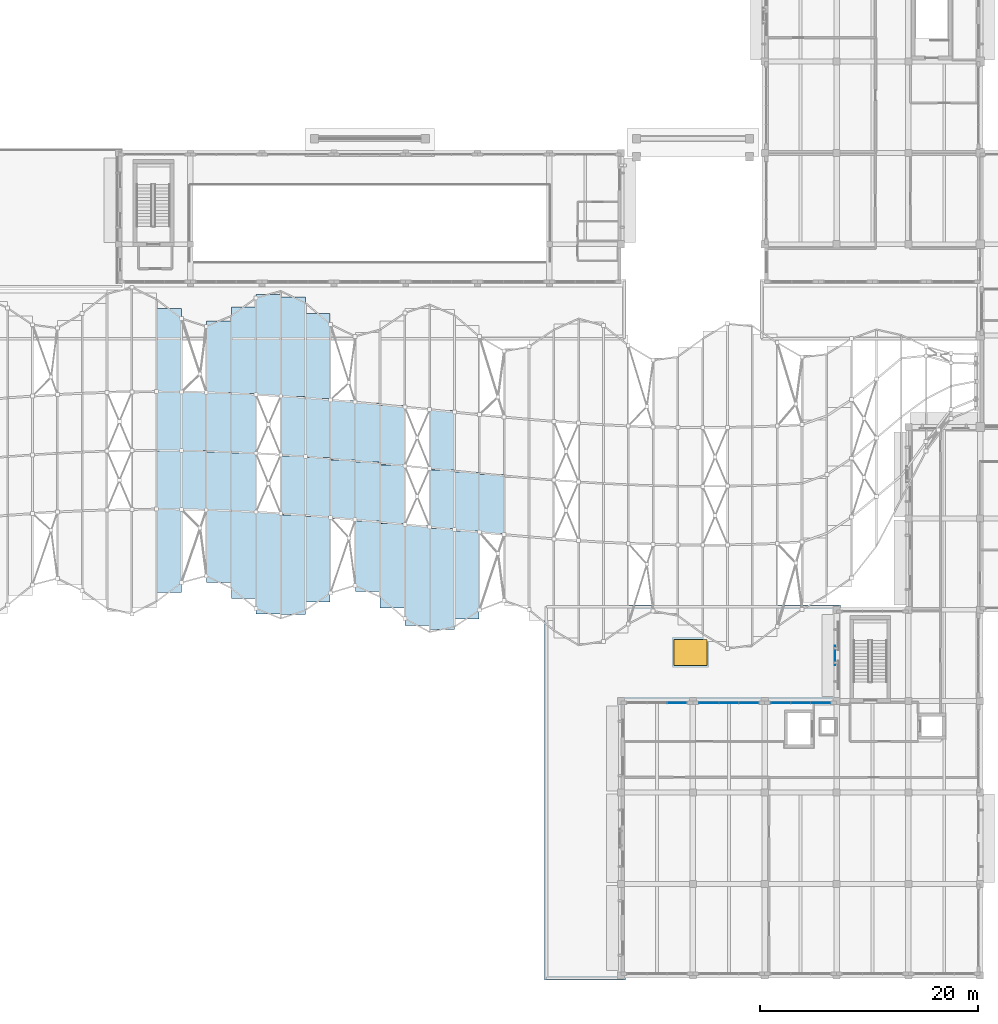
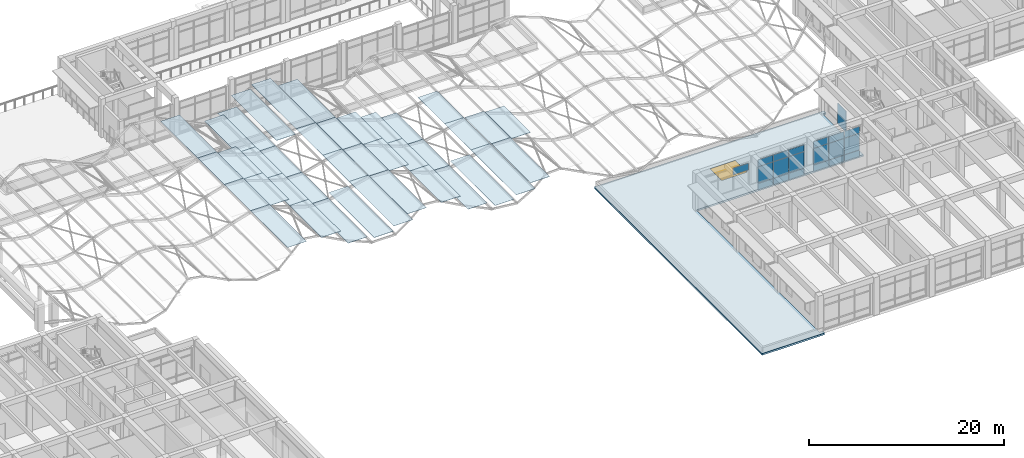
# One storey, part 36 of 79: 59 plates, 1 slab, 1 window, 1 opening, 3 elements without a shape of their own.
"""IFC4 building model written with IfcOpenShell, lengths in metres."""

from ifc_helpers import new_model, si_unit, direction, frame, origin, origin_2d, place, context, subcontext, project, spatial, polyline, rectangle, outline, extrude, material, layer, layer_set, type_object, element, fill, aggregate, save


model = new_model("IFC4")

# Units and contexts
model_context = context("Model", 3, precision=1e-05, world=origin(), true_north=direction((0.0, 1.0)))
body_context = subcontext(model_context, "Body", "Model", "MODEL_VIEW")
ifc_project = project(units=[si_unit("LENGTHUNIT", "METRE"), si_unit("AREAUNIT", "SQUARE_METRE"), si_unit("VOLUMEUNIT", "CUBIC_METRE"), si_unit("PLANEANGLEUNIT", "RADIAN"), si_unit("MASSUNIT", "GRAM", prefix="KILO")], contexts=[model_context])

# Site, building, storey
site_placement = place(None, origin())
site = spatial("IfcSite", under=ifc_project, at=site_placement, CompositionType="ELEMENT")
building_placement = place(site_placement, origin())
building = spatial("IfcBuilding", under=site, at=building_placement, Name="Kolvaren Faculty of Natural Sciences", CompositionType="ELEMENT")
storey_placement = place(building_placement, frame((0.0, 0.0, 10.199951171875)))
storey = spatial("IfcBuildingStorey", under=building, at=storey_placement, Name="L02", CompositionType="ELEMENT", Elevation=10.199951171875)

# Plates
ifc_material_1 = material(Name="Double low-E solar control laminated skylight glass", Category="glass")
ifc_layer_1 = layer(ifc_material_1, 0.031982421875)
ifc_layer_set_1 = layer_set([ifc_layer_1], Name="Double low-E solar control laminated skylight glass")
plate_type_1 = type_object("IfcPlateType", Name="CanopyTranslucentSkylight_32", PredefinedType="USERDEFINED", material=ifc_layer_set_1)
plate_1_placement = place(storey_placement, frame((64.240966796875, 47.63623046875, 4.14599609375), z_axis=(0.0, 0.0, 1.0), x_axis=(1.0, 0.0, 0.0)))
element("IfcPlate", 1, at=plate_1_placement, inside=storey, type_object=plate_type_1, Name="Covered street canopy translucent skylight panel 12.S1", ObjectType="SKYLIGHT PANEL", PredefinedType="USERDEFINED", context=body_context, shape_type="SweptSolid", body=[
    extrude(rectangle(XDim=2.251708984375, YDim=7.6708984375, at=origin_2d()), origin(), (0.0, 0.0, 1.0), 0.031982421875),
])
for number, where, z_axis, x_axis, name in (
    (2, (64.240966796875, 54.1416015625, 4.14599609375), (0.0, 0.0, 1.0), (1.0, 0.0, 0.0), "Covered street canopy translucent skylight panel 12.S2"),
    (3, (64.240966796875, 59.54150390625, 4.14599609375), (0.0, 0.0, 1.0), (1.0, 0.0, 0.0), "Covered street canopy translucent skylight panel 12.N2"),
):
    element("IfcPlate", number, at=place(storey_placement, frame(where, z_axis=z_axis, x_axis=x_axis)), inside=storey, type_object=plate_type_1, Name=name, ObjectType="SKYLIGHT PANEL", PredefinedType="USERDEFINED", context=body_context, shape_type="SweptSolid", body=[
        extrude(rectangle(XDim=2.251708984375, YDim=5.4599609375, at=origin_2d()), origin(), (0.0, 0.0, 1.0), 0.031982421875),
    ])
plate_2_placement = place(storey_placement, frame((64.240966796875, 66.047119140625, 4.14599609375), z_axis=(0.0, 0.0, 1.0), x_axis=(1.0, 0.0, 0.0)))
element("IfcPlate", 4, at=plate_2_placement, inside=storey, type_object=plate_type_1, Name="Covered street canopy translucent skylight panel 12.N1", ObjectType="SKYLIGHT PANEL", PredefinedType="USERDEFINED", context=body_context, shape_type="SweptSolid", body=[
    extrude(rectangle(XDim=2.251708984375, YDim=7.6708984375, at=origin_2d()), origin(), (0.0, 0.0, 1.0), 0.031982421875),
])
for number, where, z_axis, x_axis, name in (
    (5, (66.522705078125, 54.108154296875, 4.01904296875), (0.0, 0.0, 1.0), (1.0, 0.0, 0.0), "Covered street canopy translucent skylight panel 13.S2"),
    (6, (66.522705078125, 59.50830078125, 4.01904296875), (0.0, 0.0, 1.0), (1.0, 0.0, 0.0), "Covered street canopy translucent skylight panel 13.N2"),
):
    element("IfcPlate", number, at=place(storey_placement, frame(where, z_axis=z_axis, x_axis=x_axis)), inside=storey, type_object=plate_type_1, Name=name, ObjectType="SKYLIGHT PANEL", PredefinedType="USERDEFINED", context=body_context, shape_type="SweptSolid", body=[
        extrude(rectangle(XDim=2.251708984375, YDim=5.4599609375, at=origin_2d()), origin(), (0.0, 0.0, 1.0), 0.031982421875),
    ])
plate_3_placement = place(storey_placement, frame((68.8046875, 48.05078125, 3.25), z_axis=(0.0, 0.0, 1.0), x_axis=(1.0, 0.0, 0.0)))
element("IfcPlate", 7, at=plate_3_placement, inside=storey, type_object=plate_type_1, Name="Covered street canopy translucent skylight panel 14.S1", ObjectType="SKYLIGHT PANEL", PredefinedType="USERDEFINED", context=body_context, shape_type="SweptSolid", body=[
    extrude(rectangle(XDim=2.251953125, YDim=6.642578125, at=origin_2d()), origin(), (0.0, 0.0, 1.0), 0.031982421875),
])
for number, where, z_axis, x_axis, name in (
    (8, (68.8046875, 54.0419921875, 3.25), (0.0, 0.0, 1.0), (1.0, 0.0, 0.0), "Covered street canopy translucent skylight panel 14.S2"),
    (9, (68.8046875, 59.44189453125, 3.25), (0.0, 0.0, 1.0), (1.0, 0.0, 0.0), "Covered street canopy translucent skylight panel 14.N2"),
):
    element("IfcPlate", number, at=place(storey_placement, frame(where, z_axis=z_axis, x_axis=x_axis)), inside=storey, type_object=plate_type_1, Name=name, ObjectType="SKYLIGHT PANEL", PredefinedType="USERDEFINED", context=body_context, shape_type="SweptSolid", body=[
        extrude(rectangle(XDim=2.251953125, YDim=5.4599609375, at=origin_2d()), origin(), (0.0, 0.0, 1.0), 0.031982421875),
    ])
plate_4_placement = place(storey_placement, frame((68.8046875, 65.433349609375, 3.25), z_axis=(0.0, 0.0, 1.0), x_axis=(1.0, 0.0, 0.0)))
element("IfcPlate", 10, at=plate_4_placement, inside=storey, type_object=plate_type_1, Name="Covered street canopy translucent skylight panel 14.N1", ObjectType="SKYLIGHT PANEL", PredefinedType="USERDEFINED", context=body_context, shape_type="SweptSolid", body=[
    extrude(rectangle(XDim=2.251953125, YDim=6.642578125, at=origin_2d()), origin(), (0.0, 0.0, 1.0), 0.031982421875),
])
plate_5_placement = place(storey_placement, frame((71.08642578125, 47.25390625, 2.646484375), z_axis=(0.0, 0.0, 1.0), x_axis=(1.0, 0.0, 0.0)))
element("IfcPlate", 11, at=plate_5_placement, inside=storey, type_object=plate_type_1, Name="Covered street canopy translucent skylight panel 15.S1", ObjectType="SKYLIGHT PANEL", PredefinedType="USERDEFINED", context=body_context, shape_type="SweptSolid", body=[
    extrude(rectangle(XDim=2.251708984375, YDim=8.041015625, at=origin_2d()), origin(), (0.0, 0.0, 1.0), 0.031982421875),
])
for number, where, z_axis, x_axis, name in (
    (12, (71.08642578125, 53.944580078125, 2.646484375), (0.0, 0.0, 1.0), (1.0, 0.0, 0.0), "Covered street canopy translucent skylight panel 15.S2"),
    (13, (71.08642578125, 59.344482421875, 2.646484375), (0.0, 0.0, 1.0), (1.0, 0.0, 0.0), "Covered street canopy translucent skylight panel 15.N2"),
):
    element("IfcPlate", number, at=place(storey_placement, frame(where, z_axis=z_axis, x_axis=x_axis)), inside=storey, type_object=plate_type_1, Name=name, ObjectType="SKYLIGHT PANEL", PredefinedType="USERDEFINED", context=body_context, shape_type="SweptSolid", body=[
        extrude(rectangle(XDim=2.251708984375, YDim=5.4599609375, at=origin_2d()), origin(), (0.0, 0.0, 1.0), 0.031982421875),
    ])
plate_6_placement = place(storey_placement, frame((71.08642578125, 66.034912109375, 2.646484375), z_axis=(0.0, 0.0, 1.0), x_axis=(1.0, 0.0, 0.0)))
element("IfcPlate", 14, at=plate_6_placement, inside=storey, type_object=plate_type_1, Name="Covered street canopy translucent skylight panel 15.N1", ObjectType="SKYLIGHT PANEL", PredefinedType="USERDEFINED", context=body_context, shape_type="SweptSolid", body=[
    extrude(rectangle(XDim=2.251708984375, YDim=8.041015625, at=origin_2d()), origin(), (0.0, 0.0, 1.0), 0.031982421875),
])
plate_7_placement = place(storey_placement, frame((73.3681640625, 46.490478515625, 3.3916015625), z_axis=(0.0, 0.0, 1.0), x_axis=(1.0, 0.0, 0.0)))
element("IfcPlate", 15, at=plate_7_placement, inside=storey, type_object=plate_type_1, Name="Covered street canopy translucent skylight panel 16.S1", ObjectType="SKYLIGHT PANEL", PredefinedType="USERDEFINED", context=body_context, shape_type="SweptSolid", body=[
    extrude(rectangle(XDim=2.251708984375, YDim=9.313720703125, at=origin_2d()), origin(), (0.0, 0.0, 1.0), 0.031982421875),
])
plate_8_placement = place(storey_placement, frame((73.3681640625, 66.54443359375, 3.3916015625), z_axis=(0.0, 0.0, 1.0), x_axis=(1.0, 0.0, 0.0)))
element("IfcPlate", 16, at=plate_8_placement, inside=storey, type_object=plate_type_1, Name="Covered street canopy translucent skylight panel 16.N1", ObjectType="SKYLIGHT PANEL", PredefinedType="USERDEFINED", context=body_context, shape_type="SweptSolid", body=[
    extrude(rectangle(XDim=2.251708984375, YDim=9.31396484375, at=origin_2d()), origin(), (0.0, 0.0, 1.0), 0.031982421875),
])
plate_9_placement = place(storey_placement, frame((75.64990234375, 46.37451171875, 4.09716796875), z_axis=(0.0, 0.0, 1.0), x_axis=(1.0, 0.0, 0.0)))
element("IfcPlate", 17, at=plate_9_placement, inside=storey, type_object=plate_type_1, Name="Covered street canopy translucent skylight panel 17.S1", ObjectType="SKYLIGHT PANEL", PredefinedType="USERDEFINED", context=body_context, shape_type="SweptSolid", body=[
    extrude(rectangle(XDim=2.251708984375, YDim=9.238525390625, at=origin_2d()), origin(), (0.0, 0.0, 1.0), 0.031982421875),
])
for number, where, z_axis, x_axis, name in (
    (18, (75.64990234375, 53.663818359375, 4.09716796875), (0.0, 0.0, 1.0), (1.0, 0.0, 0.0), "Covered street canopy translucent skylight panel 17.S2"),
    (19, (75.64990234375, 59.063720703125, 4.09716796875), (0.0, 0.0, 1.0), (1.0, 0.0, 0.0), "Covered street canopy translucent skylight panel 17.N2"),
):
    element("IfcPlate", number, at=place(storey_placement, frame(where, z_axis=z_axis, x_axis=x_axis)), inside=storey, type_object=plate_type_1, Name=name, ObjectType="SKYLIGHT PANEL", PredefinedType="USERDEFINED", context=body_context, shape_type="SweptSolid", body=[
        extrude(rectangle(XDim=2.251708984375, YDim=5.4599609375, at=origin_2d()), origin(), (0.0, 0.0, 1.0), 0.031982421875),
    ])
plate_10_placement = place(storey_placement, frame((75.64990234375, 66.35302734375, 4.09716796875), z_axis=(0.0, 0.0, 1.0), x_axis=(1.0, 0.0, 0.0)))
element("IfcPlate", 20, at=plate_10_placement, inside=storey, type_object=plate_type_1, Name="Covered street canopy translucent skylight panel 17.N1", ObjectType="SKYLIGHT PANEL", PredefinedType="USERDEFINED", context=body_context, shape_type="SweptSolid", body=[
    extrude(rectangle(XDim=2.251708984375, YDim=9.238525390625, at=origin_2d()), origin(), (0.0, 0.0, 1.0), 0.031982421875),
])
plate_11_placement = place(storey_placement, frame((77.931884765625, 46.87255859375, 4.09716796875), z_axis=(0.0, 0.0, 1.0), x_axis=(1.0, 0.0, 0.0)))
element("IfcPlate", 21, at=plate_11_placement, inside=storey, type_object=plate_type_1, Name="Covered street canopy translucent skylight panel 18.S1", ObjectType="SKYLIGHT PANEL", PredefinedType="USERDEFINED", context=body_context, shape_type="SweptSolid", body=[
    extrude(rectangle(XDim=2.251708984375, YDim=7.8876953125, at=origin_2d()), origin(), (0.0, 0.0, 1.0), 0.031982421875),
])
for number, where, z_axis, x_axis, name in (
    (22, (77.931884765625, 53.486328125, 4.09716796875), (0.0, 0.0, 1.0), (1.0, 0.0, 0.0), "Covered street canopy translucent skylight panel 18.S2"),
    (23, (77.931884765625, 58.88623046875, 4.09716796875), (0.0, 0.0, 1.0), (1.0, 0.0, 0.0), "Covered street canopy translucent skylight panel 18.N2"),
):
    element("IfcPlate", number, at=place(storey_placement, frame(where, z_axis=z_axis, x_axis=x_axis)), inside=storey, type_object=plate_type_1, Name=name, ObjectType="SKYLIGHT PANEL", PredefinedType="USERDEFINED", context=body_context, shape_type="SweptSolid", body=[
        extrude(rectangle(XDim=2.251708984375, YDim=5.4599609375, at=origin_2d()), origin(), (0.0, 0.0, 1.0), 0.031982421875),
    ])
plate_12_placement = place(storey_placement, frame((77.931884765625, 65.5, 4.09716796875), z_axis=(0.0, 0.0, 1.0), x_axis=(1.0, 0.0, 0.0)))
element("IfcPlate", 24, at=plate_12_placement, inside=storey, type_object=plate_type_1, Name="Covered street canopy translucent skylight panel 18.N1", ObjectType="SKYLIGHT PANEL", PredefinedType="USERDEFINED", context=body_context, shape_type="SweptSolid", body=[
    extrude(rectangle(XDim=2.251708984375, YDim=7.8876953125, at=origin_2d()), origin(), (0.0, 0.0, 1.0), 0.031982421875),
])
for number, where, z_axis, x_axis, name in (
    (25, (80.213623046875, 53.288818359375, 4.0849609375), (0.0, 0.0, 1.0), (1.0, 0.0, 0.0), "Covered street canopy translucent skylight panel 19.S2"),
    (26, (80.213623046875, 58.688720703125, 4.0849609375), (0.0, 0.0, 1.0), (1.0, 0.0, 0.0), "Covered street canopy translucent skylight panel 19.N2"),
):
    element("IfcPlate", number, at=place(storey_placement, frame(where, z_axis=z_axis, x_axis=x_axis)), inside=storey, type_object=plate_type_1, Name=name, ObjectType="SKYLIGHT PANEL", PredefinedType="USERDEFINED", context=body_context, shape_type="SweptSolid", body=[
        extrude(rectangle(XDim=2.251708984375, YDim=5.4599609375, at=origin_2d()), origin(), (0.0, 0.0, 1.0), 0.031982421875),
    ])
plate_13_placement = place(storey_placement, frame((82.49560546875, 47.141845703125, 3.36767578125), z_axis=(0.0, 0.0, 1.0), x_axis=(1.0, 0.0, 0.0)))
element("IfcPlate", 27, at=plate_13_placement, inside=storey, type_object=plate_type_1, Name="Covered street canopy translucent skylight panel 20.S1", ObjectType="SKYLIGHT PANEL", PredefinedType="USERDEFINED", context=body_context, shape_type="SweptSolid", body=[
    extrude(rectangle(XDim=2.251953125, YDim=6.526611328125, at=origin_2d()), origin(), (0.0, 0.0, 1.0), 0.031982421875),
])
for number, where, z_axis, x_axis, name in (
    (28, (82.49560546875, 53.0751953125, 3.36767578125), (0.0, 0.0, 1.0), (1.0, 0.0, 0.0), "Covered street canopy translucent skylight panel 20.S2"),
    (29, (82.49560546875, 58.47509765625, 3.36767578125), (0.0, 0.0, 1.0), (1.0, 0.0, 0.0), "Covered street canopy translucent skylight panel 20.N2"),
):
    element("IfcPlate", number, at=place(storey_placement, frame(where, z_axis=z_axis, x_axis=x_axis)), inside=storey, type_object=plate_type_1, Name=name, ObjectType="SKYLIGHT PANEL", PredefinedType="USERDEFINED", context=body_context, shape_type="SweptSolid", body=[
        extrude(rectangle(XDim=2.251953125, YDim=5.4599609375, at=origin_2d()), origin(), (0.0, 0.0, 1.0), 0.031982421875),
    ])
plate_14_placement = place(storey_placement, frame((84.77734375, 46.26806640625, 2.63330078125), z_axis=(0.0, 0.0, 1.0), x_axis=(1.0, 0.0, 0.0)))
element("IfcPlate", 30, at=plate_14_placement, inside=storey, type_object=plate_type_1, Name="Covered street canopy translucent skylight panel 21.S1", ObjectType="SKYLIGHT PANEL", PredefinedType="USERDEFINED", context=body_context, shape_type="SweptSolid", body=[
    extrude(rectangle(XDim=2.251708984375, YDim=7.823486328125, at=origin_2d()), origin(), (0.0, 0.0, 1.0), 0.031982421875),
])
for number, where, z_axis, x_axis, name in (
    (31, (84.77734375, 52.849853515625, 2.63330078125), (0.0, 0.0, 1.0), (1.0, 0.0, 0.0), "Covered street canopy translucent skylight panel 21.S2"),
    (32, (84.77734375, 58.25, 2.63330078125), (0.0, 0.0, 1.0), (1.0, 0.0, 0.0), "Covered street canopy translucent skylight panel 21.N2"),
):
    element("IfcPlate", number, at=place(storey_placement, frame(where, z_axis=z_axis, x_axis=x_axis)), inside=storey, type_object=plate_type_1, Name=name, ObjectType="SKYLIGHT PANEL", PredefinedType="USERDEFINED", context=body_context, shape_type="SweptSolid", body=[
        extrude(rectangle(XDim=2.251708984375, YDim=5.4599609375, at=origin_2d()), origin(), (0.0, 0.0, 1.0), 0.031982421875),
    ])
plate_15_placement = place(storey_placement, frame((87.05908203125, 45.345703125, 3.27392578125), z_axis=(0.0, 0.0, 1.0), x_axis=(1.0, 0.0, 0.0)))
element("IfcPlate", 33, at=plate_15_placement, inside=storey, type_object=plate_type_1, Name="Covered street canopy translucent skylight panel 22.S1", ObjectType="SKYLIGHT PANEL", PredefinedType="USERDEFINED", context=body_context, shape_type="SweptSolid", body=[
    extrude(rectangle(XDim=2.251708984375, YDim=9.20361328125, at=origin_2d()), origin(), (0.0, 0.0, 1.0), 0.031982421875),
])
plate_16_placement = place(storey_placement, frame((89.3408203125, 45.0419921875, 4.03369140625), z_axis=(0.0, 0.0, 1.0), x_axis=(1.0, 0.0, 0.0)))
element("IfcPlate", 34, at=plate_16_placement, inside=storey, type_object=plate_type_1, Name="Covered street canopy translucent skylight panel 23.S1", ObjectType="SKYLIGHT PANEL", PredefinedType="USERDEFINED", context=body_context, shape_type="SweptSolid", body=[
    extrude(rectangle(XDim=2.251708984375, YDim=9.34130859375, at=origin_2d()), origin(), (0.0, 0.0, 1.0), 0.031982421875),
])
for number, where, z_axis, x_axis, name in (
    (35, (89.3408203125, 52.382568359375, 4.03369140625), (0.0, 0.0, 1.0), (1.0, 0.0, 0.0), "Covered street canopy translucent skylight panel 23.S2"),
    (36, (89.3408203125, 57.78271484375, 4.03369140625), (0.0, 0.0, 1.0), (1.0, 0.0, 0.0), "Covered street canopy translucent skylight panel 23.N2"),
):
    element("IfcPlate", number, at=place(storey_placement, frame(where, z_axis=z_axis, x_axis=x_axis)), inside=storey, type_object=plate_type_1, Name=name, ObjectType="SKYLIGHT PANEL", PredefinedType="USERDEFINED", context=body_context, shape_type="SweptSolid", body=[
        extrude(rectangle(XDim=2.251708984375, YDim=5.4599609375, at=origin_2d()), origin(), (0.0, 0.0, 1.0), 0.031982421875),
    ])
plate_17_placement = place(storey_placement, frame((91.622802734375, 45.427734375, 4.13720703125), z_axis=(0.0, 0.0, 1.0), x_axis=(1.0, 0.0, 0.0)))
element("IfcPlate", 37, at=plate_17_placement, inside=storey, type_object=plate_type_1, Name="Covered street canopy translucent skylight panel 24.S1", ObjectType="SKYLIGHT PANEL", PredefinedType="USERDEFINED", context=body_context, shape_type="SweptSolid", body=[
    extrude(rectangle(XDim=2.251708984375, YDim=8.104736328125, at=origin_2d()), origin(), (0.0, 0.0, 1.0), 0.031982421875),
])
plate_18_placement = place(storey_placement, frame((91.622802734375, 52.150146484375, 4.13720703125), z_axis=(0.0, 0.0, 1.0), x_axis=(1.0, 0.0, 0.0)))
element("IfcPlate", 38, at=plate_18_placement, inside=storey, type_object=plate_type_1, Name="Covered street canopy translucent skylight panel 24.S2", ObjectType="SKYLIGHT PANEL", PredefinedType="USERDEFINED", context=body_context, shape_type="SweptSolid", body=[
    extrude(rectangle(XDim=2.251708984375, YDim=5.4599609375, at=origin_2d()), origin(), (0.0, 0.0, 1.0), 0.031982421875),
])
plate_19_placement = place(storey_placement, frame((93.904541015625, 51.9248046875, 4.13720703125), z_axis=(0.0, 0.0, 1.0), x_axis=(1.0, 0.0, 0.0)))
element("IfcPlate", 39, at=plate_19_placement, inside=storey, type_object=plate_type_1, Name="Covered street canopy translucent skylight panel 25.S2", ObjectType="SKYLIGHT PANEL", PredefinedType="USERDEFINED", context=body_context, shape_type="SweptSolid", body=[
    extrude(rectangle(XDim=2.251953125, YDim=5.4599609375, at=origin_2d()), origin(), (0.0, 0.0, 1.0), 0.031982421875),
])

# Curtain wall, plates
ifc_material_2 = material(Name="Thermally broken anodised aluminium framing", Category="aluminium")
ifc_layer_2 = layer(ifc_material_2, 0.179931640625)
ifc_layer_set_2 = layer_set([ifc_layer_2], Name="Thermally broken anodised aluminium framing")
curtain_wall_type = type_object("IfcCurtainWallType", Name="CommonsCurtainWall_CW02", PredefinedType="NOTDEFINED", material=ifc_layer_set_2)
curtain_wall_1_placement = place(storey_placement, origin())
curtain_wall_1 = element("IfcCurtainWall", 40, at=curtain_wall_1_placement, inside=storey, type_object=curtain_wall_type, Name="L02 unitised curtain wall CW-02 (CW-L02-117)", PredefinedType="NOTDEFINED")
ifc_material_3 = material(Name="Double low-E solar control insulated glazing", Category="glass")
ifc_layer_3 = layer(ifc_material_3, 0.035888671875)
ifc_layer_set_3 = layer_set([ifc_layer_3], Name="Double low-E solar control insulated glazing")
plate_type_2 = type_object("IfcPlateType", Name="EnvelopePlate_CWPGL1", PredefinedType="CURTAIN_PANEL", material=ifc_layer_set_3)
plate_20_placement = place(storey_placement, frame((113.86669921875, 33.64990234375, 0.920166015625), z_axis=(0.0, 0.0, 1.0), x_axis=(1.0, 0.0, 0.0)))
plate_20 = element("IfcPlate", 41, at=plate_20_placement, type_object=plate_type_2, Name="CW-L02-117 panel 1 V1", PredefinedType="CURTAIN_PANEL", context=body_context, shape_type="SweptSolid", body=[
    extrude(rectangle(XDim=1.783203125, YDim=0.035888671875, at=origin_2d()), origin(), (0.0, 0.0, 1.0), 2.044921875),
])
plate_21_placement = place(storey_placement, frame((115.699951171875, 33.64990234375, 0.920166015625), z_axis=(0.0, 0.0, 1.0), x_axis=(1.0, 0.0, 0.0)))
plate_21 = element("IfcPlate", 42, at=plate_21_placement, type_object=plate_type_2, Name="CW-L02-117 panel 2 V1", PredefinedType="CURTAIN_PANEL", context=body_context, shape_type="SweptSolid", body=[
    extrude(rectangle(XDim=1.783203125, YDim=0.035888671875, at=origin_2d()), origin(), (0.0, 0.0, 1.0), 2.044921875),
])
plate_22_placement = place(storey_placement, frame((117.533203125, 33.64990234375, 0.920166015625), z_axis=(0.0, 0.0, 1.0), x_axis=(1.0, 0.0, 0.0)))
plate_22 = element("IfcPlate", 43, at=plate_22_placement, type_object=plate_type_2, Name="CW-L02-117 panel 3 V1", PredefinedType="CURTAIN_PANEL", context=body_context, shape_type="SweptSolid", body=[
    extrude(rectangle(XDim=1.783203125, YDim=0.035888671875, at=origin_2d()), origin(), (0.0, 0.0, 1.0), 2.044921875),
])

curtain_wall_2_placement = place(storey_placement, origin())
curtain_wall_2 = element("IfcCurtainWall", 44, at=curtain_wall_2_placement, inside=storey, type_object=curtain_wall_type, Name="L02 unitised curtain wall CW-02 (CW-L02-118)", PredefinedType="NOTDEFINED")
plate_23_placement = place(storey_placement, frame((120.466796875, 33.64990234375, 0.920166015625), z_axis=(0.0, 0.0, 1.0), x_axis=(1.0, 0.0, 0.0)))
plate_23 = element("IfcPlate", 45, at=plate_23_placement, type_object=plate_type_2, Name="CW-L02-118 panel 1 V1", PredefinedType="CURTAIN_PANEL", context=body_context, shape_type="SweptSolid", body=[
    extrude(rectangle(XDim=1.783203125, YDim=0.035888671875, at=origin_2d()), origin(), (0.0, 0.0, 1.0), 2.044921875),
])
plate_24_placement = place(storey_placement, frame((122.300048828125, 33.64990234375, 0.920166015625), z_axis=(0.0, 0.0, 1.0), x_axis=(1.0, 0.0, 0.0)))
plate_24 = element("IfcPlate", 46, at=plate_24_placement, type_object=plate_type_2, Name="CW-L02-118 panel 2 V1", PredefinedType="CURTAIN_PANEL", context=body_context, shape_type="SweptSolid", body=[
    extrude(rectangle(XDim=1.783203125, YDim=0.035888671875, at=origin_2d()), origin(), (0.0, 0.0, 1.0), 2.044921875),
])
plate_25_placement = place(storey_placement, frame((124.13330078125, 33.64990234375, 0.920166015625), z_axis=(0.0, 0.0, 1.0), x_axis=(1.0, 0.0, 0.0)))
plate_25 = element("IfcPlate", 47, at=plate_25_placement, type_object=plate_type_2, Name="CW-L02-118 panel 3 V1", PredefinedType="CURTAIN_PANEL", context=body_context, shape_type="SweptSolid", body=[
    extrude(rectangle(XDim=1.783203125, YDim=0.035888671875, at=origin_2d()), origin(), (0.0, 0.0, 1.0), 2.044921875),
])

# Curtain wall, plate
curtain_wall_3_placement = place(storey_placement, origin())
curtain_wall_3 = element("IfcCurtainWall", 48, at=curtain_wall_3_placement, inside=storey, type_object=curtain_wall_type, Name="L02 unitised curtain wall CW-02 (CW-L02-116)", PredefinedType="NOTDEFINED")
ifc_layer_4 = layer(ifc_material_3, 0.035888671875)
ifc_layer_set_4 = layer_set([ifc_layer_4], Name="Double low-E solar control insulated glazing")
plate_type_3 = type_object("IfcPlateType", Name="EnvelopePlate_CWPGL2", PredefinedType="CURTAIN_PANEL", material=ifc_layer_set_4)
plate_26_placement = place(storey_placement, frame((110.933349609375, 33.64990234375, 3.005126953125), z_axis=(0.0, 0.0, 1.0), x_axis=(1.0, 0.0, 0.0)))
plate_26 = element("IfcPlate", 49, at=plate_26_placement, type_object=plate_type_3, Name="CW-L02-116 panel 3 V2", PredefinedType="CURTAIN_PANEL", context=body_context, shape_type="SweptSolid", body=[
    extrude(rectangle(XDim=1.783203125, YDim=0.035888671875, at=origin_2d()), origin(), (0.0, 0.0, 1.0), 0.830078125),
])
aggregate(curtain_wall_3, [plate_26])

# Plate
plate_27_placement = place(storey_placement, frame((113.86669921875, 33.64990234375, 3.005126953125), z_axis=(0.0, 0.0, 1.0), x_axis=(1.0, 0.0, 0.0)))
plate_27 = element("IfcPlate", 50, at=plate_27_placement, type_object=plate_type_3, Name="CW-L02-117 panel 1 V2", PredefinedType="CURTAIN_PANEL", context=body_context, shape_type="SweptSolid", body=[
    extrude(rectangle(XDim=1.783203125, YDim=0.035888671875, at=origin_2d()), origin(), (0.0, 0.0, 1.0), 0.830078125),
])

plate_28_placement = place(storey_placement, frame((115.699951171875, 33.64990234375, 3.005126953125), z_axis=(0.0, 0.0, 1.0), x_axis=(1.0, 0.0, 0.0)))
plate_28 = element("IfcPlate", 51, at=plate_28_placement, type_object=plate_type_3, Name="CW-L02-117 panel 2 V2", PredefinedType="CURTAIN_PANEL", context=body_context, shape_type="SweptSolid", body=[
    extrude(rectangle(XDim=1.783203125, YDim=0.035888671875, at=origin_2d()), origin(), (0.0, 0.0, 1.0), 0.830078125),
])

plate_29_placement = place(storey_placement, frame((117.533203125, 33.64990234375, 3.005126953125), z_axis=(0.0, 0.0, 1.0), x_axis=(1.0, 0.0, 0.0)))
plate_29 = element("IfcPlate", 52, at=plate_29_placement, type_object=plate_type_3, Name="CW-L02-117 panel 3 V2", PredefinedType="CURTAIN_PANEL", context=body_context, shape_type="SweptSolid", body=[
    extrude(rectangle(XDim=1.783203125, YDim=0.035888671875, at=origin_2d()), origin(), (0.0, 0.0, 1.0), 0.830078125),
])

plate_30_placement = place(storey_placement, frame((120.466796875, 33.64990234375, 3.005126953125), z_axis=(0.0, 0.0, 1.0), x_axis=(1.0, 0.0, 0.0)))
plate_30 = element("IfcPlate", 53, at=plate_30_placement, type_object=plate_type_3, Name="CW-L02-118 panel 1 V2", PredefinedType="CURTAIN_PANEL", context=body_context, shape_type="SweptSolid", body=[
    extrude(rectangle(XDim=1.783203125, YDim=0.035888671875, at=origin_2d()), origin(), (0.0, 0.0, 1.0), 0.830078125),
])

plate_31_placement = place(storey_placement, frame((122.300048828125, 33.64990234375, 3.005126953125), z_axis=(0.0, 0.0, 1.0), x_axis=(1.0, 0.0, 0.0)))
plate_31 = element("IfcPlate", 54, at=plate_31_placement, type_object=plate_type_3, Name="CW-L02-118 panel 2 V2", PredefinedType="CURTAIN_PANEL", context=body_context, shape_type="SweptSolid", body=[
    extrude(rectangle(XDim=1.783203125, YDim=0.035888671875, at=origin_2d()), origin(), (0.0, 0.0, 1.0), 0.830078125),
])

plate_32_placement = place(storey_placement, frame((124.13330078125, 33.64990234375, 3.005126953125), z_axis=(0.0, 0.0, 1.0), x_axis=(1.0, 0.0, 0.0)))
plate_32 = element("IfcPlate", 55, at=plate_32_placement, type_object=plate_type_3, Name="CW-L02-118 panel 3 V2", PredefinedType="CURTAIN_PANEL", context=body_context, shape_type="SweptSolid", body=[
    extrude(rectangle(XDim=1.783203125, YDim=0.035888671875, at=origin_2d()), origin(), (0.0, 0.0, 1.0), 0.830078125),
])

ifc_material_4 = material(Name="Insulated anodised aluminium spandrel panel", Category="aluminium")
ifc_layer_5 = layer(ifc_material_4, 0.050048828125)
ifc_layer_set_5 = layer_set([ifc_layer_5], Name="Insulated anodised aluminium spandrel panel")
plate_type_4 = type_object("IfcPlateType", Name="EnvelopePlate_CWPSP1", PredefinedType="SHEET", material=ifc_layer_set_5)
plate_33_placement = place(storey_placement, frame((113.86669921875, 33.64990234375, 0.10009765625), z_axis=(0.0, 0.0, 1.0), x_axis=(1.0, 0.0, 0.0)))
plate_33 = element("IfcPlate", 56, at=plate_33_placement, type_object=plate_type_4, Name="CW-L02-117 panel 1 SP", PredefinedType="SHEET", context=body_context, shape_type="SweptSolid", body=[
    extrude(rectangle(XDim=1.783203125, YDim=0.050048828125, at=origin_2d()), origin(), (0.0, 0.0, 1.0), 0.780029296875),
])

plate_34_placement = place(storey_placement, frame((115.699951171875, 33.64990234375, 0.10009765625), z_axis=(0.0, 0.0, 1.0), x_axis=(1.0, 0.0, 0.0)))
plate_34 = element("IfcPlate", 57, at=plate_34_placement, type_object=plate_type_4, Name="CW-L02-117 panel 2 SP", PredefinedType="SHEET", context=body_context, shape_type="SweptSolid", body=[
    extrude(rectangle(XDim=1.783203125, YDim=0.050048828125, at=origin_2d()), origin(), (0.0, 0.0, 1.0), 0.780029296875),
])

plate_35_placement = place(storey_placement, frame((117.533203125, 33.64990234375, 0.10009765625), z_axis=(0.0, 0.0, 1.0), x_axis=(1.0, 0.0, 0.0)))
plate_35 = element("IfcPlate", 58, at=plate_35_placement, type_object=plate_type_4, Name="CW-L02-117 panel 3 SP", PredefinedType="SHEET", context=body_context, shape_type="SweptSolid", body=[
    extrude(rectangle(XDim=1.783203125, YDim=0.050048828125, at=origin_2d()), origin(), (0.0, 0.0, 1.0), 0.780029296875),
])

aggregate(curtain_wall_1, [plate_33, plate_20, plate_27, plate_34, plate_21, plate_28, plate_35, plate_22, plate_29])

plate_36_placement = place(storey_placement, frame((120.466796875, 33.64990234375, 0.10009765625), z_axis=(0.0, 0.0, 1.0), x_axis=(1.0, 0.0, 0.0)))
plate_36 = element("IfcPlate", 59, at=plate_36_placement, type_object=plate_type_4, Name="CW-L02-118 panel 1 SP", PredefinedType="SHEET", context=body_context, shape_type="SweptSolid", body=[
    extrude(rectangle(XDim=1.783203125, YDim=0.050048828125, at=origin_2d()), origin(), (0.0, 0.0, 1.0), 0.780029296875),
])

plate_37_placement = place(storey_placement, frame((122.300048828125, 33.64990234375, 0.10009765625), z_axis=(0.0, 0.0, 1.0), x_axis=(1.0, 0.0, 0.0)))
plate_37 = element("IfcPlate", 60, at=plate_37_placement, type_object=plate_type_4, Name="CW-L02-118 panel 2 SP", PredefinedType="SHEET", context=body_context, shape_type="SweptSolid", body=[
    extrude(rectangle(XDim=1.783203125, YDim=0.050048828125, at=origin_2d()), origin(), (0.0, 0.0, 1.0), 0.780029296875),
])

plate_38_placement = place(storey_placement, frame((124.13330078125, 33.64990234375, 0.10009765625), z_axis=(0.0, 0.0, 1.0), x_axis=(1.0, 0.0, 0.0)))
plate_38 = element("IfcPlate", 61, at=plate_38_placement, type_object=plate_type_4, Name="CW-L02-118 panel 3 SP", PredefinedType="SHEET", context=body_context, shape_type="SweptSolid", body=[
    extrude(rectangle(XDim=1.783203125, YDim=0.050048828125, at=origin_2d()), origin(), (0.0, 0.0, 1.0), 0.780029296875),
])

aggregate(curtain_wall_2, [plate_36, plate_23, plate_30, plate_37, plate_24, plate_31, plate_38, plate_25, plate_32])

ifc_material_5 = material(Name="Extruded architectural terracotta screen", Category="masonry")
ifc_layer_6 = layer(ifc_material_5, 0.06494140625)
ifc_layer_set_6 = layer_set([ifc_layer_6], Name="Extruded architectural terracotta screen")
plate_type_5 = type_object("IfcPlateType", Name="EnvelopePlate_JL02", PredefinedType="USERDEFINED", material=ifc_layer_set_6)
plate_39_placement = place(storey_placement, frame((125.4599609375, 38.0, 0.85009765625), z_axis=(0.0, 0.0, 1.0), x_axis=(0.0, 1.0, 0.0)))
element("IfcPlate", 62, at=plate_39_placement, inside=storey, type_object=plate_type_5, Name="L02 perforated terracotta jali sun screen JL-02", ObjectType="SCREEN", PredefinedType="USERDEFINED", context=body_context, shape_type="SweptSolid", body=[
    extrude(rectangle(XDim=1.75, YDim=0.06494140625, at=origin_2d()), origin(), (0.0, 0.0, 1.0), 2.60009765625),
])

# Slab, opening, window
ifc_material_6 = material(Name="Concrete C35/45", Category="concrete")
ifc_layer_7 = layer(ifc_material_6, 0.219970703125)
ifc_layer_set_7 = layer_set([ifc_layer_7], Name="Concrete C35/45")
slab_type = type_object("IfcSlabType", Name="FlatWingRoofSlab_220", PredefinedType="ROOF", material=ifc_layer_set_7)
slab_placement = place(storey_placement, frame((0.0, 0.0, -0.219970703125)))
slab = element("IfcSlab", 63, at=slab_placement, inside=storey, type_object=slab_type, Name="L02 flat reinforced concrete roof slab 2", PredefinedType="ROOF", context=body_context, shape_type="SweptSolid", body=[
    extrude(outline(polyline([(125.597900390625, 42.219970703125), (125.59619140625, 42.219482421875), (125.59423828125, 42.218994140625), (125.59228515625, 42.218505859375), (125.590576171875, 42.217529296875), (125.5888671875, 42.216552734375), (125.58740234375, 42.215576171875), (125.5859375, 42.214111328125), (125.58447265625, 42.212646484375), (125.58349609375, 42.211181640625), (125.58251953125, 42.20947265625), (125.58154296875, 42.207763671875), (125.580810546875, 42.205810546875), (125.580322265625, 42.203857421875), (125.580078125, 42.201904296875), (125.580078125, 42.199951171875), (125.580078125, 33.820068359375), (105.800048828125, 33.820068359375), (105.798095703125, 33.81982421875), (105.796142578125, 33.819580078125), (105.794189453125, 33.819091796875), (105.792236328125, 33.818603515625), (105.79052734375, 33.817626953125), (105.788818359375, 33.816650390625), (105.787353515625, 33.8154296875), (105.785888671875, 33.814208984375), (105.784423828125, 33.812744140625), (105.783447265625, 33.81103515625), (105.782470703125, 33.809326171875), (105.781494140625, 33.8076171875), (105.781005859375, 33.805908203125), (105.780517578125, 33.803955078125), (105.780029296875, 33.802001953125), (105.780029296875, 33.800048828125), (105.780029296875, 8.60009765625), (105.780029296875, 8.597900390625), (105.780517578125, 8.59619140625), (105.781005859375, 8.59423828125), (105.781494140625, 8.59228515625), (105.782470703125, 8.590576171875), (105.783447265625, 8.5888671875), (105.784423828125, 8.58740234375), (105.785888671875, 8.5859375), (105.787353515625, 8.58447265625), (105.788818359375, 8.58349609375), (105.79052734375, 8.58251953125), (105.792236328125, 8.58154296875), (105.794189453125, 8.580810546875), (105.796142578125, 8.580322265625), (105.798095703125, 8.580078125), (105.800048828125, 8.580078125), (106.179931640625, 8.580078125), (106.179931640625, 8.169921875), (98.77001953125, 8.169921875), (98.77001953125, 42.6298828125), (125.97998046875, 42.6298828125), (125.97998046875, 42.219970703125), (125.60009765625, 42.219970703125), (125.597900390625, 42.219970703125)])), origin(), (0.0, 0.0, 1.0), 0.219970703125),
])
opening_placement = place(slab_placement, frame((112.175048828125, 38.282958984375, 0.0)))
opening = element("IfcOpeningElement", 64, at=opening_placement, cuts=slab, Name="Opening SK-02", PredefinedType="OPENING", context=body_context, shape_type="SweptSolid", body=[
    extrude(rectangle(XDim=3.0, YDim=2.39990234375, at=origin_2d()), frame((0.0, 0.0, -0.010009765625)), (0.0, 0.0, 1.0), 0.239990234375),
])
window_type = type_object("IfcWindowType", Name="RoofSkylight_SK02_3000x2400", PartitioningType="SINGLE_PANEL", PredefinedType="SKYLIGHT", material=ifc_material_3)
window_placement = place(opening_placement, frame((0.0, 0.0, 0.169921875)))
window = element("IfcWindow", 65, at=window_placement, inside=storey, type_object=window_type, Name="SKY-L02-02", OverallHeight=2.39990234375, OverallWidth=3.0, PartitioningType="SINGLE_PANEL", PredefinedType="SKYLIGHT", context=body_context, shape_type="SweptSolid", body=[
    extrude(rectangle(XDim=3.0, YDim=2.39990234375, at=origin_2d()), origin(), (0.0, 0.0, 1.0), 0.050048828125),
])
fill(opening, window)

save(model, "model.ifc")
